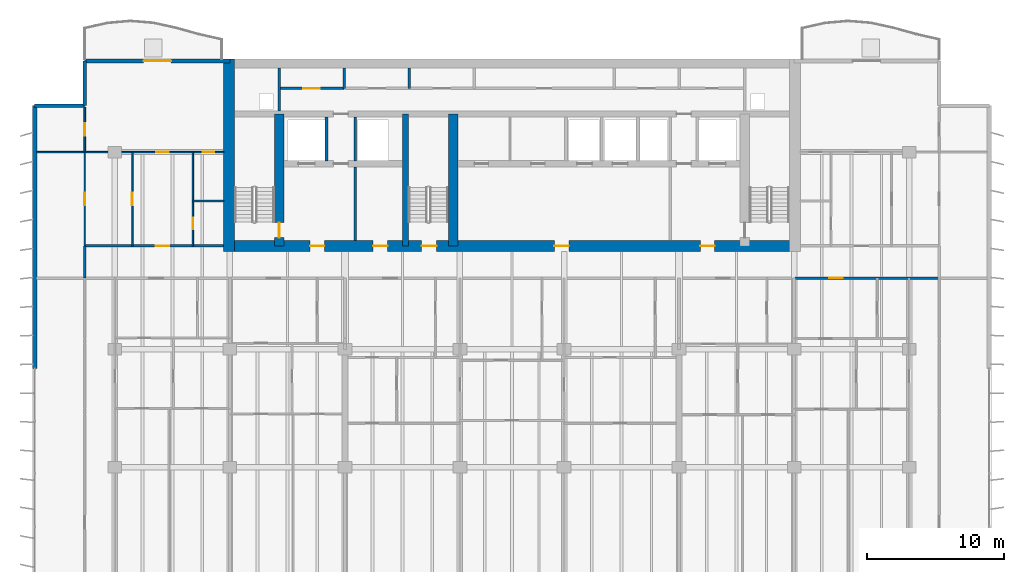
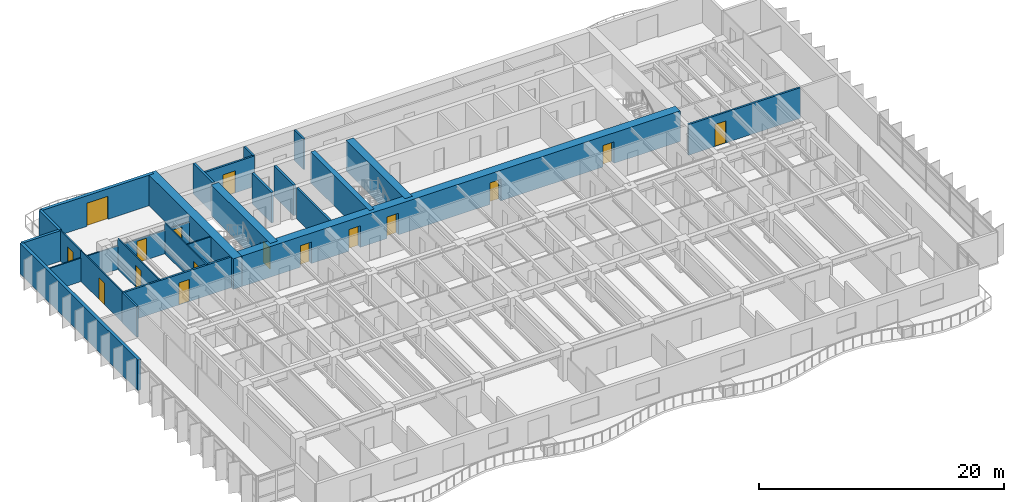
# One storey, part 10 of 17: 25 walls, 16 doors, 16 openings.
"""IFC4 building model written with IfcOpenShell, lengths in metres."""

from ifc_helpers import new_model, si_unit, direction, frame, frame_2d, origin, place, context, subcontext, project, spatial, rectangle, extrude, material, layer, layer_set, type_object, element, fill, save


model = new_model("IFC4")

# Units and contexts
model_context = context("Model", 3, precision=1e-05, world=origin(), true_north=direction((0.0, 1.0)))
body_context = subcontext(model_context, "Body", "Model", "MODEL_VIEW")
ifc_project = project(units=[si_unit("LENGTHUNIT", "METRE"), si_unit("AREAUNIT", "SQUARE_METRE"), si_unit("VOLUMEUNIT", "CUBIC_METRE"), si_unit("PLANEANGLEUNIT", "RADIAN"), si_unit("MASSUNIT", "GRAM", prefix="KILO")], contexts=[model_context])

# Site, building, storey
site_placement = place(None, origin())
site = spatial("IfcSite", under=ifc_project, at=site_placement, CompositionType="ELEMENT")
building_placement = place(site_placement, origin())
building = spatial("IfcBuilding", under=site, at=building_placement, Name="Caelmar Bay Residences", CompositionType="ELEMENT")
storey_placement = place(building_placement, frame((0.0, 0.0, 109.199951171875)))
storey = spatial("IfcBuildingStorey", under=building, at=storey_placement, Name="L29", CompositionType="ELEMENT", Elevation=109.199951171875)

# Wall, opening, door
ifc_material_1 = material(Name="Concrete f'c 55 MPa (8,000 psi)", Category="concrete")
ifc_layer_1 = layer(ifc_material_1, 0.699951171875)
ifc_layer_set_1 = layer_set([ifc_layer_1], Name="Concrete f'c 55 MPa (8,000 psi)")
wall_type_1 = type_object("IfcWallType", Name="SW-COR-700", PredefinedType="SHEAR", material=ifc_layer_set_1)
wall_1_placement = place(storey_placement, frame((21.89990234375, 36.949951171875, 0.0), z_axis=(0.0, 0.0, 1.0), x_axis=(0.0, 1.0, 0.0)))
wall_1 = element("IfcWall", 1, at=wall_1_placement, inside=storey, type_object=wall_type_1, Name="L29 Core Structural Web Wall ST1E", PredefinedType="SHEAR", context=body_context, shape_type="SweptSolid", body=[
    extrude(rectangle(XDim=9.625, YDim=0.699951171875, at=frame_2d((4.8125, 0.0))), origin(), (0.0, 0.0, 1.0), 3.050048828125),
])
opening_1_placement = place(wall_1_placement, frame((0.60009765625, 0.0, 0.0)))
opening_1 = element("IfcOpeningElement", 2, at=opening_1_placement, cuts=wall_1, Name="Opening D-L29-107", PredefinedType="OPENING", context=body_context, shape_type="SweptSolid", body=[
    extrude(rectangle(XDim=1.10009765625, YDim=2.14990234375, at=frame_2d((0.550048828125, 1.074951171875))), frame((0.0, 0.35986328125, 0.0), z_axis=(0.0, -1.0, 0.0), x_axis=(1.0, 0.0, 0.0)), (0.0, 0.0, 1.0), 0.719970703125),
])
ifc_material_2 = material(Name="Fire-rated steel and walnut architectural door assembly", Category="steel")
ifc_layer_2 = layer(ifc_material_2, 0.050048828125)
ifc_layer_set_2 = layer_set([ifc_layer_2], Name="Fire-rated steel and walnut architectural door assembly")
door_type_1 = type_object("IfcDoorType", Name="D-STAIR-1100", OperationType="NOTDEFINED", PredefinedType="DOOR", material=ifc_layer_set_2)
door_1_placement = place(opening_1_placement, origin())
door_1 = element("IfcDoor", 3, at=door_1_placement, inside=storey, type_object=door_type_1, Name="L29 Firefighting Lobby West Door", OperationType="SINGLE_SWING_LEFT", OverallHeight=2.14990234375, OverallWidth=1.10009765625, PredefinedType="DOOR", context=body_context, shape_type="SweptSolid", body=[
    extrude(rectangle(XDim=1.10009765625, YDim=2.14990234375, at=frame_2d((0.550048828125, 1.074951171875))), frame((0.0, 0.02490234375, 0.0), z_axis=(0.0, -1.0, 0.0), x_axis=(1.0, 0.0, 0.0)), (0.0, 0.0, 1.0), 0.050048828125),
])
fill(opening_1, door_1)

# Wall
wall_2_placement = place(storey_placement, frame((34.60009765625, 36.949951171875, 0.0), z_axis=(0.0, 0.0, 1.0), x_axis=(0.0, 1.0, 0.0)))
element("IfcWall", 4, at=wall_2_placement, inside=storey, type_object=wall_type_1, Name="L29 Core Structural Web Wall ST3E", PredefinedType="SHEAR", context=body_context, shape_type="SweptSolid", body=[
    extrude(rectangle(XDim=9.625, YDim=0.699951171875, at=frame_2d((4.8125, 0.0))), origin(), (0.0, 0.0, 1.0), 3.050048828125),
])

# Wall, openings, doors
ifc_material_3 = material(Name="Concrete f'c 70 MPa (10,000 psi)", Category="concrete")
ifc_layer_3 = layer(ifc_material_3, 0.800048828125)
ifc_layer_set_3 = layer_set([ifc_layer_3], Name="Concrete f'c 70 MPa (10,000 psi)")
wall_type_2 = type_object("IfcWallType", Name="SW-COR-800", PredefinedType="SHEAR", material=ifc_layer_set_3)
wall_3_placement = place(storey_placement, frame((17.85009765625, 36.949951171875, 0.0), z_axis=(0.0, 0.0, 1.0), x_axis=(1.0, 0.0, 0.0)))
wall_3 = element("IfcWall", 5, at=wall_3_placement, inside=storey, type_object=wall_type_2, Name="L29 Rear Core South Shear Wall", PredefinedType="SHEAR", context=body_context, shape_type="SweptSolid", body=[
    extrude(rectangle(XDim=42.099853515625, YDim=0.800048828125, at=frame_2d((21.0498046875, 0.0))), origin(), (0.0, 0.0, 1.0), 3.050048828125),
])
opening_2_placement = place(wall_3_placement, frame((14.449951171875, 0.0, 0.0)))
opening_2 = element("IfcOpeningElement", 6, at=opening_2_placement, cuts=wall_3, Name="Opening D-L29-105", PredefinedType="OPENING", context=body_context, shape_type="SweptSolid", body=[
    extrude(rectangle(XDim=1.10009765625, YDim=2.14990234375, at=frame_2d((0.550048828125, 1.074951171875))), frame((0.0, 0.409912109375, 0.0), z_axis=(0.0, -1.0, 0.0), x_axis=(1.0, 0.0, 0.0)), (0.0, 0.0, 1.0), 0.820068359375),
])
opening_3_placement = place(wall_3_placement, frame((6.300048828125, 0.0, 0.0)))
opening_3 = element("IfcOpeningElement", 7, at=opening_3_placement, cuts=wall_3, Name="Opening D-L29-106", PredefinedType="OPENING", context=body_context, shape_type="SweptSolid", body=[
    extrude(rectangle(XDim=1.050048828125, YDim=2.14990234375, at=frame_2d((0.52490234375, 1.074951171875))), frame((0.0, 0.409912109375, 0.0), z_axis=(0.0, -1.0, 0.0), x_axis=(1.0, 0.0, 0.0)), (0.0, 0.0, 1.0), 0.820068359375),
])
opening_4_placement = place(wall_3_placement, frame((34.800048828125, 0.0, 0.0)))
opening_4 = element("IfcOpeningElement", 8, at=opening_4_placement, cuts=wall_3, Name="Opening D-L29-109", PredefinedType="OPENING", context=body_context, shape_type="SweptSolid", body=[
    extrude(rectangle(XDim=1.050048828125, YDim=2.14990234375, at=frame_2d((0.52490234375, 1.074951171875))), frame((0.0, 0.409912109375, 0.0), z_axis=(0.0, -1.0, 0.0), x_axis=(1.0, 0.0, 0.0)), (0.0, 0.0, 1.0), 0.820068359375),
])
opening_5_placement = place(wall_3_placement, frame((10.91259765625, 0.0, 0.0)))
opening_5 = element("IfcOpeningElement", 9, at=opening_5_placement, cuts=wall_3, Name="Opening D-L29-112", PredefinedType="OPENING", context=body_context, shape_type="SweptSolid", body=[
    extrude(rectangle(XDim=1.050048828125, YDim=2.14990234375, at=frame_2d((0.52490234375, 1.074951171875))), frame((0.0, 0.409912109375, 0.0), z_axis=(0.0, -1.0, 0.0), x_axis=(1.0, 0.0, 0.0)), (0.0, 0.0, 1.0), 0.820068359375),
])
opening_6_placement = place(wall_3_placement, frame((24.14990234375, 0.0, 0.0)))
opening_6 = element("IfcOpeningElement", 10, at=opening_6_placement, cuts=wall_3, Name="Opening D-L29-113", PredefinedType="OPENING", context=body_context, shape_type="SweptSolid", body=[
    extrude(rectangle(XDim=1.050048828125, YDim=2.14990234375, at=frame_2d((0.52490234375, 1.074951171875))), frame((0.0, 0.409912109375, 0.0), z_axis=(0.0, -1.0, 0.0), x_axis=(1.0, 0.0, 0.0)), (0.0, 0.0, 1.0), 0.820068359375),
])
ifc_layer_4 = layer(ifc_material_2, 0.050048828125)
ifc_layer_set_4 = layer_set([ifc_layer_4], Name="Fire-rated steel and walnut architectural door assembly")
door_type_2 = type_object("IfcDoorType", Name="D-FSAE-1050", OperationType="NOTDEFINED", PredefinedType="DOOR", material=ifc_layer_set_4)
door_2_placement = place(opening_3_placement, origin())
door_2 = element("IfcDoor", 11, at=door_2_placement, inside=storey, type_object=door_type_2, Name="L29 Firefighting Lobby West Door", OperationType="SINGLE_SWING_RIGHT", OverallHeight=2.14990234375, OverallWidth=1.050048828125, PredefinedType="DOOR", context=body_context, shape_type="SweptSolid", body=[
    extrude(rectangle(XDim=1.050048828125, YDim=2.14990234375, at=frame_2d((0.52490234375, 1.074951171875))), frame((0.0, 0.02490234375, 0.0), z_axis=(0.0, -1.0, 0.0), x_axis=(1.0, 0.0, 0.0)), (0.0, 0.0, 1.0), 0.050048828125),
])
fill(opening_3, door_2)
door_3_placement = place(opening_4_placement, origin())
door_3 = element("IfcDoor", 12, at=door_3_placement, inside=storey, type_object=door_type_2, Name="L29 Firefighting Lobby East Door", OperationType="SINGLE_SWING_LEFT", OverallHeight=2.14990234375, OverallWidth=1.050048828125, PredefinedType="DOOR", context=body_context, shape_type="SweptSolid", body=[
    extrude(rectangle(XDim=1.050048828125, YDim=2.14990234375, at=frame_2d((0.52490234375, 1.074951171875))), frame((0.0, 0.02490234375, 0.0), z_axis=(0.0, -1.0, 0.0), x_axis=(1.0, 0.0, 0.0)), (0.0, 0.0, 1.0), 0.050048828125),
])
fill(opening_4, door_3)
door_4_placement = place(opening_5_placement, origin())
door_4 = element("IfcDoor", 13, at=door_4_placement, inside=storey, type_object=door_type_2, Name="L29 West Lift Lobby Door", OperationType="SINGLE_SWING_RIGHT", OverallHeight=2.14990234375, OverallWidth=1.050048828125, PredefinedType="DOOR", context=body_context, shape_type="SweptSolid", body=[
    extrude(rectangle(XDim=1.050048828125, YDim=2.14990234375, at=frame_2d((0.52490234375, 1.074951171875))), frame((0.0, 0.02490234375, 0.0), z_axis=(0.0, -1.0, 0.0), x_axis=(1.0, 0.0, 0.0)), (0.0, 0.0, 1.0), 0.050048828125),
])
fill(opening_5, door_4)
door_5_placement = place(opening_6_placement, origin())
door_5 = element("IfcDoor", 14, at=door_5_placement, inside=storey, type_object=door_type_2, Name="L29 Passenger Lift Lobby Door", OperationType="SINGLE_SWING_LEFT", OverallHeight=2.14990234375, OverallWidth=1.050048828125, PredefinedType="DOOR", context=body_context, shape_type="SweptSolid", body=[
    extrude(rectangle(XDim=1.050048828125, YDim=2.14990234375, at=frame_2d((0.52490234375, 1.074951171875))), frame((0.0, 0.02490234375, 0.0), z_axis=(0.0, -1.0, 0.0), x_axis=(1.0, 0.0, 0.0)), (0.0, 0.0, 1.0), 0.050048828125),
])
fill(opening_6, door_5)
door_6_placement = place(opening_2_placement, origin())
door_6 = element("IfcDoor", 15, at=door_6_placement, inside=storey, type_object=door_type_1, Name="L29 Exit Stair ST3 Door", OperationType="SINGLE_SWING_LEFT", OverallHeight=2.14990234375, OverallWidth=1.10009765625, PredefinedType="DOOR", context=body_context, shape_type="SweptSolid", body=[
    extrude(rectangle(XDim=1.10009765625, YDim=2.14990234375, at=frame_2d((0.550048828125, 1.074951171875))), frame((0.0, 0.02490234375, 0.0), z_axis=(0.0, -1.0, 0.0), x_axis=(1.0, 0.0, 0.0)), (0.0, 0.0, 1.0), 0.050048828125),
])
fill(opening_2, door_6)

# Walls
wall_4_placement = place(storey_placement, frame((18.25, 36.550048828125, 0.0), z_axis=(0.0, 0.0, 1.0), x_axis=(0.0, 1.0, 0.0)))
element("IfcWall", 16, at=wall_4_placement, inside=storey, type_object=wall_type_2, Name="L29 Rear Core West Shear Wall", PredefinedType="SHEAR", context=body_context, shape_type="SweptSolid", body=[
    extrude(rectangle(XDim=14.050048828125, YDim=0.800048828125, at=frame_2d((7.02490234375, 0.0))), origin(), (0.0, 0.0, 1.0), 3.050048828125),
])
ifc_layer_5 = layer(ifc_material_3, 0.449951171875)
ifc_layer_set_5 = layer_set([ifc_layer_5], Name="Concrete f'c 70 MPa (10,000 psi)")
wall_type_3 = type_object("IfcWallType", Name="SW-WEB-450", PredefinedType="SHEAR", material=ifc_layer_set_5)
wall_5_placement = place(storey_placement, frame((31.125, 36.949951171875, 0.0), z_axis=(0.0, 0.0, 1.0), x_axis=(0.0, 1.0, 0.0)))
element("IfcWall", 17, at=wall_5_placement, inside=storey, type_object=wall_type_3, Name="L29 Core Structural Web Wall ST3W", PredefinedType="SHEAR", context=body_context, shape_type="SweptSolid", body=[
    extrude(rectangle(XDim=9.625, YDim=0.449951171875, at=frame_2d((4.8125, 0.0))), origin(), (0.0, 0.0, 1.0), 3.050048828125),
])
ifc_material_4 = material(Name="Double-stud acoustic fire-rated gypsum partition 180 mm")
ifc_layer_6 = layer(ifc_material_4, 0.179931640625)
ifc_layer_set_6 = layer_set([ifc_layer_6], Name="Double-stud acoustic fire-rated gypsum partition 180 mm")
wall_type_4 = type_object("IfcWallType", Name="W-COR-200", PredefinedType="PARTITIONING", material=ifc_layer_set_6)
wall_6_placement = place(storey_placement, frame((7.699951171875, 34.60498046875, 0.0), z_axis=(0.0, 0.0, 1.0), x_axis=(0.0, 1.0, 0.0)))
element("IfcWall", 18, at=wall_6_placement, inside=storey, type_object=wall_type_4, Name="L29 Partition Wall V006", PredefinedType="PARTITIONING", context=body_context, shape_type="SweptSolid", body=[
    extrude(rectangle(XDim=2.344970703125, YDim=0.179931640625, at=frame_2d((1.17236328125, 0.0))), origin(), (0.0, 0.0, 1.0), 3.050048828125),
])
for number, where, z_axis, x_axis, name in (
    (19, (26.64990234375, 48.449951171875, 0.0), (0.0, 0.0, 1.0), (0.0, 1.0, 0.0), "L29 Partition Wall V037"),
    (20, (31.39990234375, 48.449951171875, 0.0), (0.0, 0.0, 1.0), (0.0, 1.0, 0.0), "L29 Partition Wall V048"),
):
    element("IfcWall", number, at=place(storey_placement, frame(where, z_axis=z_axis, x_axis=x_axis)), inside=storey, type_object=wall_type_4, Name=name, PredefinedType="PARTITIONING", context=body_context, shape_type="SweptSolid", body=[
        extrude(rectangle(XDim=1.505126953125, YDim=0.179931640625, at=frame_2d((0.75244140625, 0.0))), origin(), (0.0, 0.0, 1.0), 3.050048828125),
    ])

# Wall, opening, door
wall_7_placement = place(storey_placement, frame((59.550048828125, 34.60009765625, 0.0), z_axis=(0.0, 0.0, 1.0), x_axis=(1.0, 0.0, 0.0)))
wall_7 = element("IfcWall", 21, at=wall_7_placement, inside=storey, type_object=wall_type_4, Name="L29 Partition Wall H143", PredefinedType="PARTITIONING", context=body_context, shape_type="SweptSolid", body=[
    extrude(rectangle(XDim=10.550048828125, YDim=0.179931640625, at=frame_2d((5.27490234375, 0.0))), origin(), (0.0, 0.0, 1.0), 3.050048828125),
])
opening_7_placement = place(wall_7_placement, frame((2.510009765625, 0.0, 0.0)))
opening_7 = element("IfcOpeningElement", 22, at=opening_7_placement, cuts=wall_7, Name="Opening D-L29-161", PredefinedType="OPENING", context=body_context, shape_type="SweptSolid", body=[
    extrude(rectangle(XDim=1.0, YDim=2.199951171875, at=frame_2d((0.5, 1.10009765625))), frame((0.0, 0.099853515625, 0.0), z_axis=(0.0, -1.0, 0.0), x_axis=(1.0, 0.0, 0.0)), (0.0, 0.0, 1.0), 0.199951171875),
])
ifc_layer_7 = layer(ifc_material_2, 0.050048828125)
ifc_layer_set_7 = layer_set([ifc_layer_7], Name="Fire-rated steel and walnut architectural door assembly")
door_type_3 = type_object("IfcDoorType", Name="D-UNIT-1000", OperationType="NOTDEFINED", PredefinedType="DOOR", material=ifc_layer_set_7)
door_7_placement = place(opening_7_placement, origin())
door_7 = element("IfcDoor", 23, at=door_7_placement, inside=storey, type_object=door_type_3, Name="L29 Residence 05 Apartment Hall Door", OperationType="SINGLE_SWING_LEFT", OverallHeight=2.199951171875, OverallWidth=1.0, PredefinedType="DOOR", context=body_context, shape_type="SweptSolid", body=[
    extrude(rectangle(XDim=1.0, YDim=2.199951171875, at=frame_2d((0.5, 1.10009765625))), frame((0.0, 0.02490234375, 0.0), z_axis=(0.0, -1.0, 0.0), x_axis=(1.0, 0.0, 0.0)), (0.0, 0.0, 1.0), 0.050048828125),
])
fill(opening_7, door_7)

wall_8_placement = place(storey_placement, frame((7.699951171875, 36.949951171875, 0.0), z_axis=(0.0, 0.0, 1.0), x_axis=(1.0, 0.0, 0.0)))
wall_8 = element("IfcWall", 24, at=wall_8_placement, inside=storey, type_object=wall_type_4, Name="L29 Partition Wall H145", PredefinedType="PARTITIONING", context=body_context, shape_type="SweptSolid", body=[
    extrude(rectangle(XDim=10.14501953125, YDim=0.179931640625, at=frame_2d((5.072509765625, 0.0))), origin(), (0.0, 0.0, 1.0), 3.050048828125),
])
opening_8_placement = place(wall_8_placement, frame((5.18798828125, 0.0, 0.0)))
opening_8 = element("IfcOpeningElement", 25, at=opening_8_placement, cuts=wall_8, Name="Opening D-L29-172", PredefinedType="OPENING", context=body_context, shape_type="SweptSolid", body=[
    extrude(rectangle(XDim=1.0, YDim=2.199951171875, at=frame_2d((0.5, 1.10009765625))), frame((0.0, 0.099853515625, 0.0), z_axis=(0.0, -1.0, 0.0), x_axis=(1.0, 0.0, 0.0)), (0.0, 0.0, 1.0), 0.199951171875),
])
door_8_placement = place(opening_8_placement, origin())
door_8 = element("IfcDoor", 26, at=door_8_placement, inside=storey, type_object=door_type_3, Name="L29 Residence WA Kitchen Door", OperationType="SINGLE_SWING_RIGHT", OverallHeight=2.199951171875, OverallWidth=1.0, PredefinedType="DOOR", context=body_context, shape_type="SweptSolid", body=[
    extrude(rectangle(XDim=1.0, YDim=2.199951171875, at=frame_2d((0.5, 1.10009765625))), frame((0.0, 0.02490234375, 0.0), z_axis=(0.0, -1.0, 0.0), x_axis=(1.0, 0.0, 0.0)), (0.0, 0.0, 1.0), 0.050048828125),
])
fill(opening_8, door_8)

wall_9_placement = place(storey_placement, frame((21.89990234375, 48.449951171875, 0.0), z_axis=(0.0, 0.0, 1.0), x_axis=(1.0, 0.0, 0.0)))
wall_9 = element("IfcWall", 27, at=wall_9_placement, inside=storey, type_object=wall_type_4, Name="L29 Partition Wall H151", PredefinedType="PARTITIONING", context=body_context, shape_type="SweptSolid", body=[
    extrude(rectangle(XDim=4.75, YDim=0.179931640625, at=frame_2d((2.375, 0.0))), origin(), (0.0, 0.0, 1.0), 3.050048828125),
])
opening_9_placement = place(wall_9_placement, frame((1.77490234375, 0.0, 0.0)))
opening_9 = element("IfcOpeningElement", 28, at=opening_9_placement, cuts=wall_9, Name="Opening D-L29-118", PredefinedType="OPENING", context=body_context, shape_type="SweptSolid", body=[
    extrude(rectangle(XDim=1.199951171875, YDim=2.199951171875, at=frame_2d((0.60009765625, 1.10009765625))), frame((0.0, 0.099853515625, 0.0), z_axis=(0.0, -1.0, 0.0), x_axis=(1.0, 0.0, 0.0)), (0.0, 0.0, 1.0), 0.199951171875),
])
ifc_layer_8 = layer(ifc_material_2, 0.050048828125)
ifc_layer_set_8 = layer_set([ifc_layer_8], Name="Fire-rated steel and walnut architectural door assembly")
door_type_4 = type_object("IfcDoorType", Name="D-PLANT-1200", OperationType="NOTDEFINED", PredefinedType="DOOR", material=ifc_layer_set_8)
door_9_placement = place(opening_9_placement, origin())
door_9 = element("IfcDoor", 29, at=door_9_placement, inside=storey, type_object=door_type_4, Name="L29 Branch Panel Closet Door", OperationType="SINGLE_SWING_RIGHT", OverallHeight=2.199951171875, OverallWidth=1.199951171875, PredefinedType="DOOR", context=body_context, shape_type="SweptSolid", body=[
    extrude(rectangle(XDim=1.199951171875, YDim=2.199951171875, at=frame_2d((0.60009765625, 1.10009765625))), frame((0.0, 0.02490234375, 0.0), z_axis=(0.0, -1.0, 0.0), x_axis=(1.0, 0.0, 0.0)), (0.0, 0.0, 1.0), 0.050048828125),
])
fill(opening_9, door_9)

# Walls
ifc_material_5 = material(Name="Precast concrete f'c 40 MPa (6,000 psi)", Category="concrete")
ifc_layer_9 = layer(ifc_material_5, 0.25)
ifc_layer_set_9 = layer_set([ifc_layer_9], Name="Precast concrete f'c 40 MPa (6,000 psi)")
wall_type_5 = type_object("IfcWallType", Name="W-EXT-250", PredefinedType="ELEMENTEDWALL", material=ifc_layer_set_9)
wall_10_placement = place(storey_placement, frame((4.050048828125, 47.199951171875, 0.0), z_axis=(0.0, 0.0, 1.0), x_axis=(1.0, 0.0, 0.0)))
element("IfcWall", 30, at=wall_10_placement, inside=storey, type_object=wall_type_5, Name="L29 NNW-H Notch Wall", PredefinedType="ELEMENTEDWALL", context=body_context, shape_type="SweptSolid", body=[
    extrude(rectangle(XDim=3.64990234375, YDim=0.25, at=frame_2d((1.824951171875, 0.0))), origin(), (0.0, 0.0, 1.0), 3.050048828125),
])
wall_11_placement = place(storey_placement, frame((7.699951171875, 47.199951171875, 0.0), z_axis=(0.0, 0.0, 1.0), x_axis=(0.0, 1.0, 0.0)))
element("IfcWall", 31, at=wall_11_placement, inside=storey, type_object=wall_type_5, Name="L29 NNW-V Notch Wall", PredefinedType="ELEMENTEDWALL", context=body_context, shape_type="SweptSolid", body=[
    extrude(rectangle(XDim=3.25, YDim=0.25, at=frame_2d((1.625, 0.0))), origin(), (0.0, 0.0, 1.0), 3.050048828125),
])
ifc_layer_10 = layer(ifc_material_5, 0.300048828125)
ifc_layer_set_10 = layer_set([ifc_layer_10], Name="Precast concrete f'c 40 MPa (6,000 psi)")
wall_type_6 = type_object("IfcWallType", Name="W-EXT-300", PredefinedType="STANDARD", material=ifc_layer_set_10)
wall_12_placement = place(storey_placement, frame((4.050048828125, 28.0, 0.0), z_axis=(0.0, 0.0, 1.0), x_axis=(0.0, 1.0, 0.0)))
element("IfcWall", 32, at=wall_12_placement, inside=storey, type_object=wall_type_6, Name="L29 West Rear Exterior Wall", PredefinedType="STANDARD", context=body_context, shape_type="SweptSolid", body=[
    extrude(rectangle(XDim=19.199951171875, YDim=0.300048828125, at=frame_2d((9.60009765625, 0.0))), origin(), (0.0, 0.0, 1.0), 3.050048828125),
])

# Wall, opening, door
wall_13_placement = place(storey_placement, frame((7.699951171875, 50.449951171875, 0.0), z_axis=(0.0, 0.0, 1.0), x_axis=(1.0, 0.0, 0.0)))
wall_13 = element("IfcWall", 33, at=wall_13_placement, inside=storey, type_object=wall_type_6, Name="L29 North-West Wing Exterior Wall", PredefinedType="STANDARD", context=body_context, shape_type="SweptSolid", body=[
    extrude(rectangle(XDim=10.60009765625, YDim=0.300048828125, at=frame_2d((5.300048828125, 0.0))), origin(), (0.0, 0.0, 1.0), 3.050048828125),
])
opening_10_placement = place(wall_13_placement, frame((4.300048828125, 0.0, 0.0)))
opening_10 = element("IfcOpeningElement", 34, at=opening_10_placement, cuts=wall_13, Name="Opening L29-BDNW", PredefinedType="OPENING", context=body_context, shape_type="SweptSolid", body=[
    extrude(rectangle(XDim=2.0, YDim=2.300048828125, at=frame_2d((1.0, 1.14990234375))), frame((0.0, 0.159912109375, 0.0), z_axis=(0.0, -1.0, 0.0), x_axis=(1.0, 0.0, 0.0)), (0.0, 0.0, 1.0), 0.320068359375),
])
ifc_material_6 = material(Name="Anodised bronze thermally broken sliding glass door", Category="glass")
ifc_layer_11 = layer(ifc_material_6, 0.050048828125)
ifc_layer_set_11 = layer_set([ifc_layer_11], Name="Anodised bronze thermally broken sliding glass door")
door_type_5 = type_object("IfcDoorType", Name="D-BAL-2000", OperationType="DOUBLE_DOOR_SLIDING", PredefinedType="DOOR", material=ifc_layer_set_11)
door_10_placement = place(opening_10_placement, origin())
door_10 = element("IfcDoor", 35, at=door_10_placement, inside=storey, type_object=door_type_5, Name="L29 North-West Balcony Door", OperationType="DOUBLE_DOOR_SLIDING", OverallHeight=2.300048828125, OverallWidth=2.0, PredefinedType="DOOR", context=body_context, shape_type="SweptSolid", body=[
    extrude(rectangle(XDim=2.0, YDim=2.300048828125, at=frame_2d((1.0, 1.14990234375))), frame((0.0, 0.02490234375, 0.0), z_axis=(0.0, -1.0, 0.0), x_axis=(1.0, 0.0, 0.0)), (0.0, 0.0, 1.0), 0.050048828125),
])
fill(opening_10, door_10)

# Walls
ifc_material_7 = material(Name="Fire-rated masonry and gypsum shaftliner assembly 200 mm", Category="masonry")
ifc_layer_12 = layer(ifc_material_7, 0.199951171875)
ifc_layer_set_12 = layer_set([ifc_layer_12], Name="Fire-rated masonry and gypsum shaftliner assembly 200 mm")
wall_type_7 = type_object("IfcWallType", Name="W-FSAE-200", PredefinedType="PARTITIONING", material=ifc_layer_set_12)
wall_14_placement = place(storey_placement, frame((21.89990234375, 46.794921875, 0.0), z_axis=(0.0, 0.0, 1.0), x_axis=(0.0, 1.0, 0.0)))
element("IfcWall", 36, at=wall_14_placement, inside=storey, type_object=wall_type_7, Name="L29 Partition Wall V029", PredefinedType="PARTITIONING", context=body_context, shape_type="SweptSolid", body=[
    extrude(rectangle(XDim=3.16015625, YDim=0.199951171875, at=frame_2d((1.580078125, 0.0))), origin(), (0.0, 0.0, 1.0), 3.050048828125),
])
wall_15_placement = place(storey_placement, frame((25.35009765625, 43.169921875, 0.0), z_axis=(0.0, 0.0, 1.0), x_axis=(0.0, 1.0, 0.0)))
element("IfcWall", 37, at=wall_15_placement, inside=storey, type_object=wall_type_7, Name="L29 Partition Wall V036", PredefinedType="PARTITIONING", context=body_context, shape_type="SweptSolid", body=[
    extrude(rectangle(XDim=3.18505859375, YDim=0.199951171875, at=frame_2d((1.592529296875, 0.0))), origin(), (0.0, 0.0, 1.0), 3.050048828125),
])
wall_16_placement = place(storey_placement, frame((27.449951171875, 37.344970703125, 0.0), z_axis=(0.0, 0.0, 1.0), x_axis=(0.0, 1.0, 0.0)))
element("IfcWall", 38, at=wall_16_placement, inside=storey, type_object=wall_type_7, Name="L29 Partition Wall V043", PredefinedType="PARTITIONING", context=body_context, shape_type="SweptSolid", body=[
    extrude(rectangle(XDim=5.385009765625, YDim=0.199951171875, at=frame_2d((2.6923828125, 0.0))), origin(), (0.0, 0.0, 1.0), 3.050048828125),
])
wall_17_placement = place(storey_placement, frame((27.449951171875, 43.169921875, 0.0), z_axis=(0.0, 0.0, 1.0), x_axis=(0.0, 1.0, 0.0)))
element("IfcWall", 39, at=wall_17_placement, inside=storey, type_object=wall_type_7, Name="L29 Partition Wall V044", PredefinedType="PARTITIONING", context=body_context, shape_type="SweptSolid", body=[
    extrude(rectangle(XDim=3.18505859375, YDim=0.199951171875, at=frame_2d((1.592529296875, 0.0))), origin(), (0.0, 0.0, 1.0), 3.050048828125),
])

# Wall, opening, door
ifc_material_8 = material(Name="Anodised bronze framed acoustic sliding study partition 100 mm")
ifc_layer_13 = layer(ifc_material_8, 0.10009765625)
ifc_layer_set_13 = layer_set([ifc_layer_13], Name="Anodised bronze framed acoustic sliding study partition 100 mm")
wall_type_8 = type_object("IfcWallType", Name="W-MOV-100", PredefinedType="MOVABLE", material=ifc_layer_set_13)
wall_18_placement = place(storey_placement, frame((7.699951171875, 36.955078125, 0.0), z_axis=(0.0, 0.0, 1.0), x_axis=(0.0, 1.0, 0.0)))
wall_18 = element("IfcWall", 40, at=wall_18_placement, inside=storey, type_object=wall_type_8, Name="L29 Partition Wall V007", PredefinedType="MOVABLE", context=body_context, shape_type="SweptSolid", body=[
    extrude(rectangle(XDim=6.844970703125, YDim=0.10009765625, at=frame_2d((3.42236328125, 0.0))), origin(), (0.0, 0.0, 1.0), 3.050048828125),
])
opening_11_placement = place(wall_18_placement, frame((2.972412109375, 0.0, 0.0)))
opening_11 = element("IfcOpeningElement", 41, at=opening_11_placement, cuts=wall_18, Name="Opening D-L29-176", PredefinedType="OPENING", context=body_context, shape_type="SweptSolid", body=[
    extrude(rectangle(XDim=0.89990234375, YDim=2.14990234375, at=frame_2d((0.449951171875, 1.074951171875))), frame((0.0, 0.06005859375, 0.0), z_axis=(0.0, -1.0, 0.0), x_axis=(1.0, 0.0, 0.0)), (0.0, 0.0, 1.0), 0.1201171875),
])
ifc_material_9 = material(Name="Solid walnut timber interior door leaf and frame", Category="wood")
ifc_layer_14 = layer(ifc_material_9, 0.050048828125)
ifc_layer_set_14 = layer_set([ifc_layer_14], Name="Solid walnut timber interior door leaf and frame")
door_type_6 = type_object("IfcDoorType", Name="D-ROOM-900", OperationType="NOTDEFINED", PredefinedType="DOOR", material=ifc_layer_set_14)
door_11_placement = place(opening_11_placement, origin())
door_11 = element("IfcDoor", 42, at=door_11_placement, inside=storey, type_object=door_type_6, Name="L29 Residence WA Sun Study Door", OperationType="SINGLE_SWING_RIGHT", OverallHeight=2.14990234375, OverallWidth=0.89990234375, PredefinedType="DOOR", context=body_context, shape_type="SweptSolid", body=[
    extrude(rectangle(XDim=0.89990234375, YDim=2.14990234375, at=frame_2d((0.449951171875, 1.074951171875))), frame((0.0, 0.02490234375, 0.0), z_axis=(0.0, -1.0, 0.0), x_axis=(1.0, 0.0, 0.0)), (0.0, 0.0, 1.0), 0.050048828125),
])
fill(opening_11, door_11)

ifc_material_10 = material(Name="Acoustic metal-stud gypsum partition 120 mm")
ifc_layer_15 = layer(ifc_material_10, 0.1201171875)
ifc_layer_set_15 = layer_set([ifc_layer_15], Name="Acoustic metal-stud gypsum partition 120 mm")
wall_type_9 = type_object("IfcWallType", Name="W-PRT-120", PredefinedType="PARTITIONING", material=ifc_layer_set_15)
wall_19_placement = place(storey_placement, frame((7.699951171875, 43.804931640625, 0.0), z_axis=(0.0, 0.0, 1.0), x_axis=(0.0, 1.0, 0.0)))
wall_19 = element("IfcWall", 43, at=wall_19_placement, inside=storey, type_object=wall_type_9, Name="L29 Partition Wall V008", PredefinedType="PARTITIONING", context=body_context, shape_type="SweptSolid", body=[
    extrude(rectangle(XDim=3.275146484375, YDim=0.1201171875, at=frame_2d((1.6376953125, 0.0))), origin(), (0.0, 0.0, 1.0), 3.050048828125),
])
opening_12_placement = place(wall_19_placement, frame((1.1875, 0.0, 0.0)))
opening_12 = element("IfcOpeningElement", 44, at=opening_12_placement, cuts=wall_19, Name="Opening D-L29-177", PredefinedType="OPENING", context=body_context, shape_type="SweptSolid", body=[
    extrude(rectangle(XDim=0.89990234375, YDim=2.14990234375, at=frame_2d((0.449951171875, 1.074951171875))), frame((0.0, 0.070068359375, 0.0), z_axis=(0.0, -1.0, 0.0), x_axis=(1.0, 0.0, 0.0)), (0.0, 0.0, 1.0), 0.14013671875),
])
door_12_placement = place(opening_12_placement, origin())
door_12 = element("IfcDoor", 45, at=door_12_placement, inside=storey, type_object=door_type_6, Name="L29 Residence WA North Sitting Alcove Door", OperationType="SINGLE_SWING_LEFT", OverallHeight=2.14990234375, OverallWidth=0.89990234375, PredefinedType="DOOR", context=body_context, shape_type="SweptSolid", body=[
    extrude(rectangle(XDim=0.89990234375, YDim=2.14990234375, at=frame_2d((0.449951171875, 1.074951171875))), frame((0.0, 0.02490234375, 0.0), z_axis=(0.0, -1.0, 0.0), x_axis=(1.0, 0.0, 0.0)), (0.0, 0.0, 1.0), 0.050048828125),
])
fill(opening_12, door_12)

wall_20_placement = place(storey_placement, frame((11.176025390625, 36.949951171875, 0.0), z_axis=(0.0, 0.0, 1.0), x_axis=(0.0, 1.0, 0.0)))
wall_20 = element("IfcWall", 46, at=wall_20_placement, inside=storey, type_object=wall_type_9, Name="L29 Partition Wall V015", PredefinedType="PARTITIONING", context=body_context, shape_type="SweptSolid", body=[
    extrude(rectangle(XDim=6.85009765625, YDim=0.1201171875, at=frame_2d((3.425048828125, 0.0))), origin(), (0.0, 0.0, 1.0), 3.050048828125),
])
opening_13_placement = place(wall_20_placement, frame((2.97509765625, 0.0, 0.0)))
opening_13 = element("IfcOpeningElement", 47, at=opening_13_placement, cuts=wall_20, Name="Opening D-L29-171", PredefinedType="OPENING", context=body_context, shape_type="SweptSolid", body=[
    extrude(rectangle(XDim=0.89990234375, YDim=2.14990234375, at=frame_2d((0.449951171875, 1.074951171875))), frame((0.0, 0.070068359375, 0.0), z_axis=(0.0, -1.0, 0.0), x_axis=(1.0, 0.0, 0.0)), (0.0, 0.0, 1.0), 0.14013671875),
])
door_13_placement = place(opening_13_placement, origin())
door_13 = element("IfcDoor", 48, at=door_13_placement, inside=storey, type_object=door_type_6, Name="L29 Residence WA Dining Room Door", OperationType="SINGLE_SWING_LEFT", OverallHeight=2.14990234375, OverallWidth=0.89990234375, PredefinedType="DOOR", context=body_context, shape_type="SweptSolid", body=[
    extrude(rectangle(XDim=0.89990234375, YDim=2.14990234375, at=frame_2d((0.449951171875, 1.074951171875))), frame((0.0, 0.02490234375, 0.0), z_axis=(0.0, -1.0, 0.0), x_axis=(1.0, 0.0, 0.0)), (0.0, 0.0, 1.0), 0.050048828125),
])
fill(opening_13, door_13)

wall_21_placement = place(storey_placement, frame((15.60009765625, 36.949951171875, 0.0), z_axis=(0.0, 0.0, 1.0), x_axis=(0.0, 1.0, 0.0)))
wall_21 = element("IfcWall", 49, at=wall_21_placement, inside=storey, type_object=wall_type_9, Name="L29 Partition Wall V021", PredefinedType="PARTITIONING", context=body_context, shape_type="SweptSolid", body=[
    extrude(rectangle(XDim=6.85009765625, YDim=0.1201171875, at=frame_2d((3.425048828125, 0.0))), origin(), (0.0, 0.0, 1.0), 3.050048828125),
])
opening_14_placement = place(wall_21_placement, frame((1.218994140625, 0.0, 0.0)))
opening_14 = element("IfcOpeningElement", 50, at=opening_14_placement, cuts=wall_21, Name="Opening D-L29-174", PredefinedType="OPENING", context=body_context, shape_type="SweptSolid", body=[
    extrude(rectangle(XDim=0.85009765625, YDim=2.10009765625, at=frame_2d((0.425048828125, 1.050048828125))), frame((0.0, 0.070068359375, 0.0), z_axis=(0.0, -1.0, 0.0), x_axis=(1.0, 0.0, 0.0)), (0.0, 0.0, 1.0), 0.14013671875),
])
ifc_layer_16 = layer(ifc_material_9, 0.050048828125)
ifc_layer_set_16 = layer_set([ifc_layer_16], Name="Solid walnut timber interior door leaf and frame")
door_type_7 = type_object("IfcDoorType", Name="D-BATH-850", OperationType="NOTDEFINED", PredefinedType="DOOR", material=ifc_layer_set_16)
door_14_placement = place(opening_14_placement, origin())
door_14 = element("IfcDoor", 51, at=door_14_placement, inside=storey, type_object=door_type_7, Name="L29 Residence WA Walk-In Closet Door", OperationType="SINGLE_SWING_RIGHT", OverallHeight=2.10009765625, OverallWidth=0.85009765625, PredefinedType="DOOR", context=body_context, shape_type="SweptSolid", body=[
    extrude(rectangle(XDim=0.85009765625, YDim=2.10009765625, at=frame_2d((0.425048828125, 1.050048828125))), frame((0.0, 0.02490234375, 0.0), z_axis=(0.0, -1.0, 0.0), x_axis=(1.0, 0.0, 0.0)), (0.0, 0.0, 1.0), 0.050048828125),
])
fill(opening_14, door_14)

# Wall
wall_22_placement = place(storey_placement, frame((15.60009765625, 40.238037109375, 0.0), z_axis=(0.0, 0.0, 1.0), x_axis=(1.0, 0.0, 0.0)))
element("IfcWall", 52, at=wall_22_placement, inside=storey, type_object=wall_type_9, Name="L29 Partition Wall H147", PredefinedType="PARTITIONING", context=body_context, shape_type="SweptSolid", body=[
    extrude(rectangle(XDim=2.2548828125, YDim=0.1201171875, at=frame_2d((1.12744140625, 0.0))), origin(), (0.0, 0.0, 1.0), 3.050048828125),
])

# Wall, openings, doors
wall_23_placement = place(storey_placement, frame((4.195068359375, 43.800048828125, 0.0), z_axis=(0.0, 0.0, 1.0), x_axis=(1.0, 0.0, 0.0)))
wall_23 = element("IfcWall", 53, at=wall_23_placement, inside=storey, type_object=wall_type_9, Name="L29 Partition Wall H149", PredefinedType="PARTITIONING", context=body_context, shape_type="SweptSolid", body=[
    extrude(rectangle(XDim=13.659912109375, YDim=0.1201171875, at=frame_2d((6.830078125, 0.0))), origin(), (0.0, 0.0, 1.0), 2.339111328125),
])
opening_15_placement = place(wall_23_placement, frame((8.742919921875, 0.0, 0.0)))
opening_15 = element("IfcOpeningElement", 54, at=opening_15_placement, cuts=wall_23, Name="Opening D-L29-173", PredefinedType="OPENING", context=body_context, shape_type="SweptSolid", body=[
    extrude(rectangle(XDim=0.89990234375, YDim=2.14990234375, at=frame_2d((0.449951171875, 1.074951171875))), frame((0.0, 0.070068359375, 0.0), z_axis=(0.0, -1.0, 0.0), x_axis=(1.0, 0.0, 0.0)), (0.0, 0.0, 1.0), 0.14013671875),
])
opening_16_placement = place(wall_23_placement, frame((12.107421875, 0.0, 0.0)))
opening_16 = element("IfcOpeningElement", 55, at=opening_16_placement, cuts=wall_23, Name="Opening D-L29-175", PredefinedType="OPENING", context=body_context, shape_type="SweptSolid", body=[
    extrude(rectangle(XDim=0.85009765625, YDim=2.10009765625, at=frame_2d((0.425048828125, 1.050048828125))), frame((0.0, 0.070068359375, 0.0), z_axis=(0.0, -1.0, 0.0), x_axis=(1.0, 0.0, 0.0)), (0.0, 0.0, 1.0), 0.14013671875),
])
door_15_placement = place(opening_16_placement, origin())
door_15 = element("IfcDoor", 56, at=door_15_placement, inside=storey, type_object=door_type_7, Name="L29 Residence WA Bathroom Door", OperationType="SINGLE_SWING_LEFT", OverallHeight=2.10009765625, OverallWidth=0.85009765625, PredefinedType="DOOR", context=body_context, shape_type="SweptSolid", body=[
    extrude(rectangle(XDim=0.85009765625, YDim=2.10009765625, at=frame_2d((0.425048828125, 1.050048828125))), frame((0.0, 0.02490234375, 0.0), z_axis=(0.0, -1.0, 0.0), x_axis=(1.0, 0.0, 0.0)), (0.0, 0.0, 1.0), 0.050048828125),
])
fill(opening_16, door_15)
door_16_placement = place(opening_15_placement, origin())
door_16 = element("IfcDoor", 57, at=door_16_placement, inside=storey, type_object=door_type_6, Name="L29 Residence WA Studio Living and Sleeping Room Door", OperationType="SINGLE_SWING_LEFT", OverallHeight=2.14990234375, OverallWidth=0.89990234375, PredefinedType="DOOR", context=body_context, shape_type="SweptSolid", body=[
    extrude(rectangle(XDim=0.89990234375, YDim=2.14990234375, at=frame_2d((0.449951171875, 1.074951171875))), frame((0.0, 0.02490234375, 0.0), z_axis=(0.0, -1.0, 0.0), x_axis=(1.0, 0.0, 0.0)), (0.0, 0.0, 1.0), 0.050048828125),
])
fill(opening_15, door_16)

save(model, "model.ifc")
